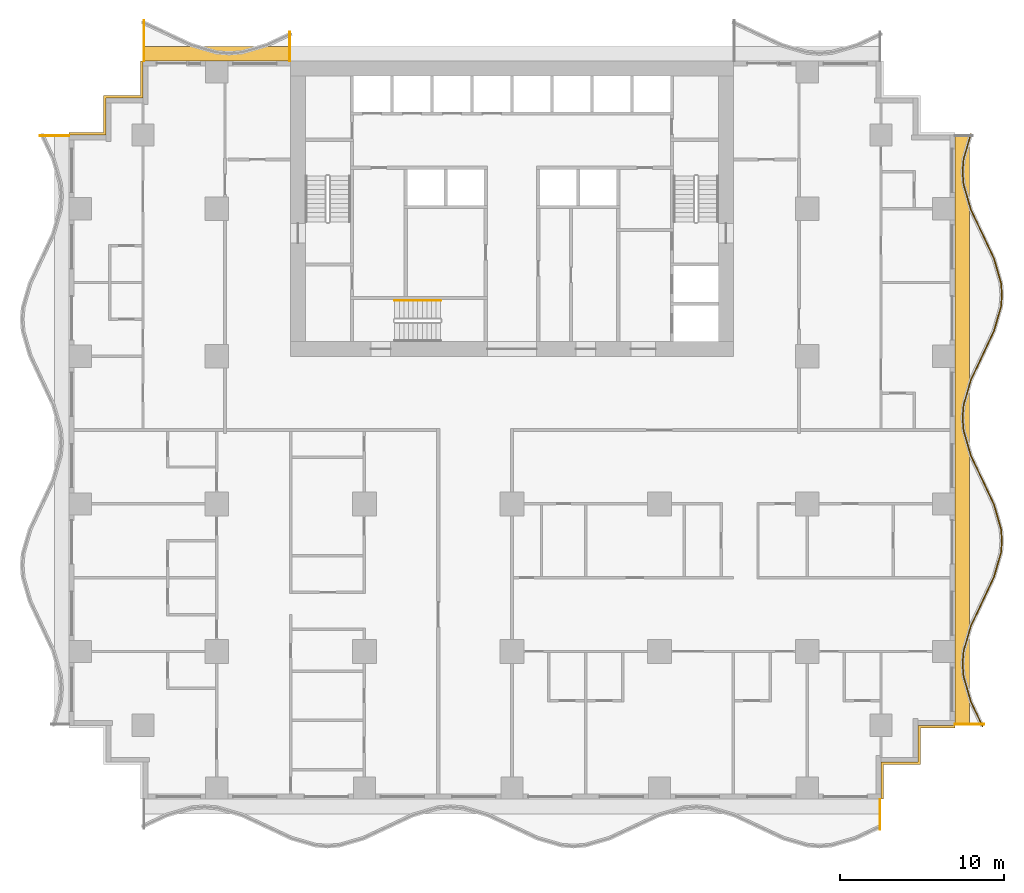
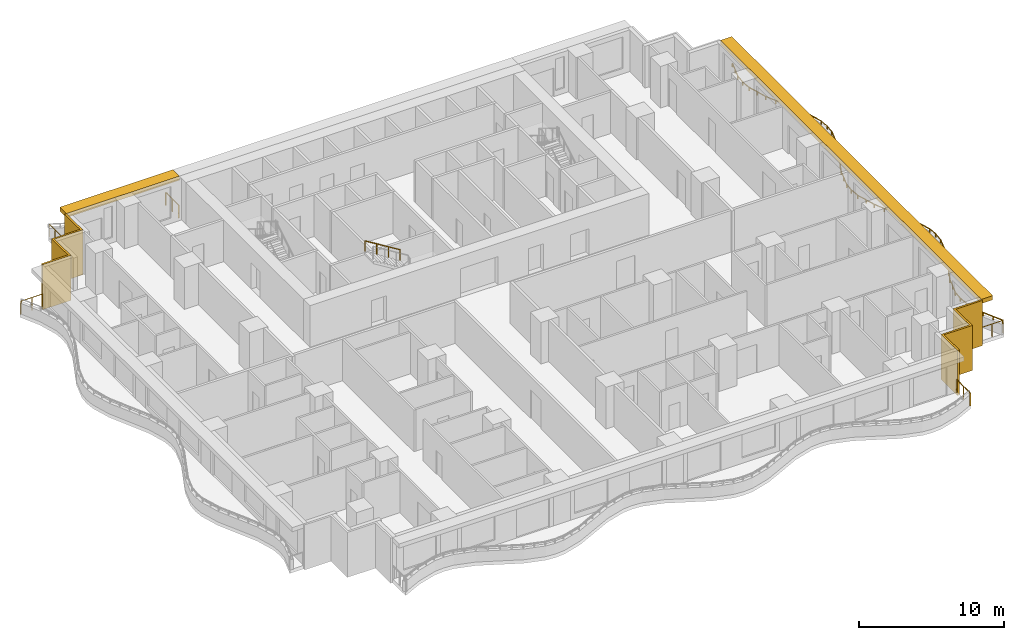
# One storey, part 11 of 14: 7 railings, 4 shading devices.
"""IFC4 building model written with IfcOpenShell, lengths in metres."""

from ifc_helpers import new_model, si_unit, direction, frame, origin, origin_2d, place, context, subcontext, project, spatial, polyline, rectangle, circle, outline, extrude, material, layer, layer_set, type_object, element, save


model = new_model("IFC4")

# Units and contexts
model_context = context("Model", 3, precision=1e-05, world=origin(), true_north=direction((0.0, 1.0)))
body_context = subcontext(model_context, "Body", "Model", "MODEL_VIEW")
ifc_project = project(units=[si_unit("LENGTHUNIT", "METRE"), si_unit("AREAUNIT", "SQUARE_METRE"), si_unit("VOLUMEUNIT", "CUBIC_METRE"), si_unit("PLANEANGLEUNIT", "RADIAN"), si_unit("MASSUNIT", "GRAM", prefix="KILO")], contexts=[model_context])

# Site, building, storey
site_placement = place(None, origin())
site = spatial("IfcSite", under=ifc_project, at=site_placement, CompositionType="ELEMENT")
building_placement = place(site_placement, origin())
building = spatial("IfcBuilding", under=site, at=building_placement, Name="Orbiselva Terraces", CompositionType="ELEMENT")
storey_placement = place(building_placement, frame((0.0, 0.0, 60.6)))
storey = spatial("IfcBuildingStorey", under=building, at=storey_placement, Name="L15", CompositionType="ELEMENT", Elevation=60.6)

# Railings
ifc_material_1 = material(Name="Stainless steel", Category="steel")
railing_type_1 = type_object("IfcRailingType", Name="CORE-HANDRAIL-900", PredefinedType="HANDRAIL", material=ifc_material_1)
railing_1_placement = place(storey_placement, frame((-4.35, 7.9, 2.072727)))
element("IfcRailing", 1, at=railing_1_placement, inside=storey, type_object=railing_type_1, Name="L15 S3 stair handrail 2", PredefinedType="HANDRAIL", context=body_context, shape_type="SweptSolid", body=[
    extrude(circle(Radius=0.024, at=origin_2d()), frame((0.0, 0.0, 0.876), z_axis=(-0.851088519012, 0.0, 0.52502222125), x_axis=(0.0, -1.0, 0.0)), (0.0, 0.0, 1.0), 3.289905),
    extrude(circle(Radius=0.021, at=origin_2d()), origin(), (0.0, 0.0, 1.0), 0.852),
    extrude(circle(Radius=0.021, at=origin_2d()), frame((-0.933333, 0.0, 0.575758)), (0.0, 0.0, 1.0), 0.852),
    extrude(circle(Radius=0.021, at=origin_2d()), frame((-1.866667, 0.0, 1.151515)), (0.0, 0.0, 1.0), 0.852),
    extrude(circle(Radius=0.021, at=origin_2d()), frame((-2.8, 0.0, 1.727273)), (0.0, 0.0, 1.0), 0.852),
])
ifc_material_2 = material(Name="Bonded two-ply safety glass balustrade, stainless steel posts", Category="steel")
railing_type_2 = type_object("IfcRailingType", Name="ENV-BALUSTRADE-1200", PredefinedType="BALUSTRADE", material=ifc_material_2)
railing_2_placement = place(storey_placement, frame((28.686882, -18.053191, 0.9)))
element("IfcRailing", 2, at=railing_2_placement, inside=storey, type_object=railing_type_2, Name="Balcony balustrade L15 E", PredefinedType="BALUSTRADE", context=body_context, shape_type="SweptSolid", body=[
    extrude(outline(polyline([(0.028868, 0.0), (0.014434, 0.025), (-0.014434, 0.025), (-0.028868, 0.0), (-0.014434, -0.025), (0.014434, -0.025), (0.028868, 0.0)])), frame((0.0, 0.0, 0.275), z_axis=(-0.425530342069, 0.904944157382, 0.0), x_axis=(-0.904944157382, -0.425530342069, 0.0)), (0.0, 0.0, 1.0), 1.667376),
    extrude(outline(polyline([(0.028868, 0.0), (0.014434, 0.025), (-0.014434, 0.025), (-0.028868, 0.0), (-0.014434, -0.025), (0.014434, -0.025), (0.028868, 0.0)])), frame((-0.709519, 1.508882, 0.275), z_axis=(-0.279070928786, 0.960270491427, 0.0), x_axis=(-0.960270491427, -0.279070928786, 0.0)), (0.0, 0.0, 1.0), 1.584712),
    extrude(outline(polyline([(0.028868, 0.0), (0.014434, 0.025), (-0.014434, 0.025), (-0.028868, 0.0), (-0.014434, -0.025), (0.014434, -0.025), (0.028868, 0.0)])), frame((-1.151766, 3.030634, 0.275), z_axis=(-0.078071061106, 0.996947796737, 0.0), x_axis=(-0.996947796737, -0.078071061106, 0.0)), (0.0, 0.0, 1.0), 0.774922),
    extrude(outline(polyline([(0.028868, 0.0), (0.014434, 0.025), (-0.014434, 0.025), (-0.028868, 0.0), (-0.014434, -0.025), (0.014434, -0.025), (0.028868, 0.0)])), frame((-1.212265, 3.803191, 0.275), z_axis=(0.078071061106, 0.996947796737, 0.0), x_axis=(-0.996947796737, 0.078071061106, 0.0)), (0.0, 0.0, 1.0), 0.774922),
    extrude(outline(polyline([(0.028868, 0.0), (0.014434, 0.025), (-0.014434, 0.025), (-0.028868, 0.0), (-0.014434, -0.025), (0.014434, -0.025), (0.028868, 0.0)])), frame((-1.151766, 4.575748, 0.275), z_axis=(0.279070928786, 0.960270491427, 0.0), x_axis=(-0.960270491427, 0.279070928786, 0.0)), (0.0, 0.0, 1.0), 1.584712),
    extrude(outline(polyline([(0.028868, 0.0), (0.014434, 0.025), (-0.014434, 0.025), (-0.028868, 0.0), (-0.014434, -0.025), (0.014434, -0.025), (0.028868, 0.0)])), frame((-0.709519, 6.0975, 0.275), z_axis=(0.425530342069, 0.904944157382, 0.0), x_axis=(-0.904944157382, 0.425530342069, 0.0)), (0.0, 0.0, 1.0), 1.667376),
    extrude(outline(polyline([(0.028868, 0.0), (0.014434, 0.025), (-0.014434, 0.025), (-0.028868, 0.0), (-0.014434, -0.025), (0.014434, -0.025), (0.028868, 0.0)])), frame((0.0, 7.606382, 0.275), z_axis=(0.425529912322, 0.904944359461, 0.0), x_axis=(-0.904944359461, 0.425529912322, 0.0)), (0.0, 0.0, 1.0), 1.647746),
    extrude(outline(polyline([(0.028868, 0.0), (0.014434, 0.025), (-0.014434, 0.025), (-0.028868, 0.0), (-0.014434, -0.025), (0.014434, -0.025), (0.028868, 0.0)])), frame((0.701165, 9.0975, 0.275), z_axis=(0.279071528957, 0.960270317007, 0.0), x_axis=(-0.960270317007, 0.279071528957, 0.0)), (0.0, 0.0, 1.0), 1.539408),
    extrude(outline(polyline([(0.028868, 0.0), (0.014434, 0.025), (-0.014434, 0.025), (-0.028868, 0.0), (-0.014434, -0.025), (0.014434, -0.025), (0.028868, 0.0)])), frame((1.13077, 10.575748, 0.275), z_axis=(0.078069536776, 0.996947916106, 0.0), x_axis=(-0.996947916106, 0.078069536776, 0.0)), (0.0, 0.0, 1.0), 0.72967),
    extrude(outline(polyline([(0.028868, 0.0), (0.014434, 0.025), (-0.014434, 0.025), (-0.028868, 0.0), (-0.014434, -0.025), (0.014434, -0.025), (0.028868, 0.0)])), frame((1.187735, 11.303191, 0.275), z_axis=(-0.078069536776, 0.996947916106, 0.0), x_axis=(-0.996947916106, -0.078069536776, 0.0)), (0.0, 0.0, 1.0), 0.72967),
    extrude(outline(polyline([(0.028868, 0.0), (0.014434, 0.025), (-0.014434, 0.025), (-0.028868, 0.0), (-0.014434, -0.025), (0.014434, -0.025), (0.028868, 0.0)])), frame((1.13077, 12.030634, 0.275), z_axis=(-0.279071528957, 0.960270317007, 0.0), x_axis=(-0.960270317007, -0.279071528957, 0.0)), (0.0, 0.0, 1.0), 1.539408),
    extrude(outline(polyline([(0.028868, 0.0), (0.014434, 0.025), (-0.014434, 0.025), (-0.028868, 0.0), (-0.014434, -0.025), (0.014434, -0.025), (0.028868, 0.0)])), frame((0.701165, 13.508882, 0.275), z_axis=(-0.425529912322, 0.904944359461, 0.0), x_axis=(-0.904944359461, -0.425529912322, 0.0)), (0.0, 0.0, 1.0), 1.647746),
    extrude(outline(polyline([(0.028868, 0.0), (0.014434, 0.025), (-0.014434, 0.025), (-0.028868, 0.0), (-0.014434, -0.025), (0.014434, -0.025), (0.028868, 0.0)])), frame((0.0, 15.0, 0.275), z_axis=(-0.425530342069, 0.904944157382, 0.0), x_axis=(-0.904944157382, -0.425530342069, 0.0)), (0.0, 0.0, 1.0), 1.667376),
    extrude(outline(polyline([(0.028868, 0.0), (0.014434, 0.025), (-0.014434, 0.025), (-0.028868, 0.0), (-0.014434, -0.025), (0.014434, -0.025), (0.028868, 0.0)])), frame((-0.709519, 16.508882, 0.275), z_axis=(-0.279070928786, 0.960270491427, 0.0), x_axis=(-0.960270491427, -0.279070928786, 0.0)), (0.0, 0.0, 1.0), 1.584712),
    extrude(outline(polyline([(0.028868, 0.0), (0.014434, 0.025), (-0.014434, 0.025), (-0.028868, 0.0), (-0.014434, -0.025), (0.014434, -0.025), (0.028868, 0.0)])), frame((-1.151766, 18.030634, 0.275), z_axis=(-0.078071061106, 0.996947796737, 0.0), x_axis=(-0.996947796737, -0.078071061106, 0.0)), (0.0, 0.0, 1.0), 0.774922),
    extrude(outline(polyline([(0.028868, 0.0), (0.014434, 0.025), (-0.014434, 0.025), (-0.028868, 0.0), (-0.014434, -0.025), (0.014434, -0.025), (0.028868, 0.0)])), frame((-1.212265, 18.803191, 0.275), z_axis=(0.078071061106, 0.996947796737, 0.0), x_axis=(-0.996947796737, 0.078071061106, 0.0)), (0.0, 0.0, 1.0), 0.774922),
    extrude(outline(polyline([(0.028868, 0.0), (0.014434, 0.025), (-0.014434, 0.025), (-0.028868, 0.0), (-0.014434, -0.025), (0.014434, -0.025), (0.028868, 0.0)])), frame((-1.151766, 19.575748, 0.275), z_axis=(0.279070928786, 0.960270491427, 0.0), x_axis=(-0.960270491427, 0.279070928786, 0.0)), (0.0, 0.0, 1.0), 1.584712),
    extrude(outline(polyline([(0.028868, 0.0), (0.014434, 0.025), (-0.014434, 0.025), (-0.028868, 0.0), (-0.014434, -0.025), (0.014434, -0.025), (0.028868, 0.0)])), frame((-0.709519, 21.0975, 0.275), z_axis=(0.425530342069, 0.904944157382, 0.0), x_axis=(-0.904944157382, 0.425530342069, 0.0)), (0.0, 0.0, 1.0), 1.667376),
    extrude(outline(polyline([(0.028868, 0.0), (0.014434, 0.025), (-0.014434, 0.025), (-0.028868, 0.0), (-0.014434, -0.025), (0.014434, -0.025), (0.028868, 0.0)])), frame((0.0, 22.606382, 0.275), z_axis=(0.425529912322, 0.904944359461, 0.0), x_axis=(-0.904944359461, 0.425529912322, 0.0)), (0.0, 0.0, 1.0), 1.647746),
    extrude(outline(polyline([(0.028868, 0.0), (0.014434, 0.025), (-0.014434, 0.025), (-0.028868, 0.0), (-0.014434, -0.025), (0.014434, -0.025), (0.028868, 0.0)])), frame((0.701165, 24.0975, 0.275), z_axis=(0.279071528957, 0.960270317007, 0.0), x_axis=(-0.960270317007, 0.279071528957, 0.0)), (0.0, 0.0, 1.0), 1.539408),
    extrude(outline(polyline([(0.028868, 0.0), (0.014434, 0.025), (-0.014434, 0.025), (-0.028868, 0.0), (-0.014434, -0.025), (0.014434, -0.025), (0.028868, 0.0)])), frame((1.13077, 25.575748, 0.275), z_axis=(0.078069536776, 0.996947916106, 0.0), x_axis=(-0.996947916106, 0.078069536776, 0.0)), (0.0, 0.0, 1.0), 0.72967),
    extrude(outline(polyline([(0.028868, 0.0), (0.014434, 0.025), (-0.014434, 0.025), (-0.028868, 0.0), (-0.014434, -0.025), (0.014434, -0.025), (0.028868, 0.0)])), frame((1.187735, 26.303191, 0.275), z_axis=(-0.078069536776, 0.996947916106, 0.0), x_axis=(-0.996947916106, -0.078069536776, 0.0)), (0.0, 0.0, 1.0), 0.72967),
    extrude(outline(polyline([(0.028868, 0.0), (0.014434, 0.025), (-0.014434, 0.025), (-0.028868, 0.0), (-0.014434, -0.025), (0.014434, -0.025), (0.028868, 0.0)])), frame((1.13077, 27.030634, 0.275), z_axis=(-0.279071528957, 0.960270317007, 0.0), x_axis=(-0.960270317007, -0.279071528957, 0.0)), (0.0, 0.0, 1.0), 1.539408),
    extrude(outline(polyline([(0.028868, 0.0), (0.014434, 0.025), (-0.014434, 0.025), (-0.028868, 0.0), (-0.014434, -0.025), (0.014434, -0.025), (0.028868, 0.0)])), frame((0.701165, 28.508882, 0.275), z_axis=(-0.425529912322, 0.904944359461, 0.0), x_axis=(-0.904944359461, -0.425529912322, 0.0)), (0.0, 0.0, 1.0), 1.647746),
    extrude(outline(polyline([(0.028868, 0.0), (0.014434, 0.025), (-0.014434, 0.025), (-0.028868, 0.0), (-0.014434, -0.025), (0.014434, -0.025), (0.028868, 0.0)])), frame((0.0, 30.0, 0.275), z_axis=(-0.425530342069, 0.904944157382, 0.0), x_axis=(-0.904944157382, -0.425530342069, 0.0)), (0.0, 0.0, 1.0), 1.667376),
    extrude(outline(polyline([(0.028868, 0.0), (0.014434, 0.025), (-0.014434, 0.025), (-0.028868, 0.0), (-0.014434, -0.025), (0.014434, -0.025), (0.028868, 0.0)])), frame((-0.709519, 31.508882, 0.275), z_axis=(-0.279070928786, 0.960270491427, 0.0), x_axis=(-0.960270491427, -0.279070928786, 0.0)), (0.0, 0.0, 1.0), 1.584712),
    extrude(outline(polyline([(0.028868, 0.0), (0.014434, 0.025), (-0.014434, 0.025), (-0.028868, 0.0), (-0.014434, -0.025), (0.014434, -0.025), (0.028868, 0.0)])), frame((-1.151766, 33.030634, 0.275), z_axis=(-0.078071061106, 0.996947796737, 0.0), x_axis=(-0.996947796737, -0.078071061106, 0.0)), (0.0, 0.0, 1.0), 0.774922),
    extrude(outline(polyline([(0.028868, 0.0), (0.014434, 0.025), (-0.014434, 0.025), (-0.028868, 0.0), (-0.014434, -0.025), (0.014434, -0.025), (0.028868, 0.0)])), frame((-1.212265, 33.803191, 0.275), z_axis=(0.078071061106, 0.996947796737, 0.0), x_axis=(-0.996947796737, 0.078071061106, 0.0)), (0.0, 0.0, 1.0), 0.774922),
    extrude(outline(polyline([(0.028868, 0.0), (0.014434, 0.025), (-0.014434, 0.025), (-0.028868, 0.0), (-0.014434, -0.025), (0.014434, -0.025), (0.028868, 0.0)])), frame((-1.151766, 34.575748, 0.275), z_axis=(0.279070966973, 0.96027048033, 0.0), x_axis=(-0.96027048033, 0.279070966973, 0.0)), (0.0, 0.0, 1.0), 1.574897),
    extrude(rectangle(XDim=0.05, YDim=0.05, at=origin_2d()), origin(), (0.0, 0.0, 1.0), 0.25),
    extrude(rectangle(XDim=0.05, YDim=0.05, at=origin_2d()), frame((-0.35476, 0.754441, 0.0)), (0.0, 0.0, 1.0), 0.25),
    extrude(rectangle(XDim=0.05, YDim=0.05, at=origin_2d()), frame((-0.709519, 1.508882, 0.0)), (0.0, 0.0, 1.0), 0.25),
    extrude(rectangle(XDim=0.05, YDim=0.05, at=origin_2d()), frame((-0.930643, 2.269758, 0.0)), (0.0, 0.0, 1.0), 0.25),
    extrude(rectangle(XDim=0.05, YDim=0.05, at=origin_2d()), frame((-1.151766, 3.030634, 0.0)), (0.0, 0.0, 1.0), 0.25),
    extrude(rectangle(XDim=0.05, YDim=0.05, at=origin_2d()), frame((-1.212265, 3.803191, 0.0)), (0.0, 0.0, 1.0), 0.25),
    extrude(rectangle(XDim=0.05, YDim=0.05, at=origin_2d()), frame((-1.151766, 4.575748, 0.0)), (0.0, 0.0, 1.0), 0.25),
    extrude(rectangle(XDim=0.05, YDim=0.05, at=origin_2d()), frame((-0.930643, 5.336624, 0.0)), (0.0, 0.0, 1.0), 0.25),
    extrude(rectangle(XDim=0.05, YDim=0.05, at=origin_2d()), frame((-0.709519, 6.0975, 0.0)), (0.0, 0.0, 1.0), 0.25),
    extrude(rectangle(XDim=0.05, YDim=0.05, at=origin_2d()), frame((-0.35476, 6.851941, 0.0)), (0.0, 0.0, 1.0), 0.25),
    extrude(rectangle(XDim=0.05, YDim=0.05, at=origin_2d()), frame((0.0, 7.606382, 0.0)), (0.0, 0.0, 1.0), 0.25),
    extrude(rectangle(XDim=0.05, YDim=0.05, at=origin_2d()), frame((0.350582, 8.351941, 0.0)), (0.0, 0.0, 1.0), 0.25),
    extrude(rectangle(XDim=0.05, YDim=0.05, at=origin_2d()), frame((0.701165, 9.0975, 0.0)), (0.0, 0.0, 1.0), 0.25),
    extrude(rectangle(XDim=0.05, YDim=0.05, at=origin_2d()), frame((0.915967, 9.836624, 0.0)), (0.0, 0.0, 1.0), 0.25),
    extrude(rectangle(XDim=0.05, YDim=0.05, at=origin_2d()), frame((1.13077, 10.575748, 0.0)), (0.0, 0.0, 1.0), 0.25),
    extrude(rectangle(XDim=0.05, YDim=0.05, at=origin_2d()), frame((1.187735, 11.303191, 0.0)), (0.0, 0.0, 1.0), 0.25),
    extrude(rectangle(XDim=0.05, YDim=0.05, at=origin_2d()), frame((1.13077, 12.030634, 0.0)), (0.0, 0.0, 1.0), 0.25),
    extrude(rectangle(XDim=0.05, YDim=0.05, at=origin_2d()), frame((0.915967, 12.769758, 0.0)), (0.0, 0.0, 1.0), 0.25),
    extrude(rectangle(XDim=0.05, YDim=0.05, at=origin_2d()), frame((0.701165, 13.508882, 0.0)), (0.0, 0.0, 1.0), 0.25),
    extrude(rectangle(XDim=0.05, YDim=0.05, at=origin_2d()), frame((0.350582, 14.254441, 0.0)), (0.0, 0.0, 1.0), 0.25),
    extrude(rectangle(XDim=0.05, YDim=0.05, at=origin_2d()), frame((0.0, 15.0, 0.0)), (0.0, 0.0, 1.0), 0.25),
    extrude(rectangle(XDim=0.05, YDim=0.05, at=origin_2d()), frame((-0.35476, 15.754441, 0.0)), (0.0, 0.0, 1.0), 0.25),
    extrude(rectangle(XDim=0.05, YDim=0.05, at=origin_2d()), frame((-0.709519, 16.508882, 0.0)), (0.0, 0.0, 1.0), 0.25),
    extrude(rectangle(XDim=0.05, YDim=0.05, at=origin_2d()), frame((-0.930643, 17.269758, 0.0)), (0.0, 0.0, 1.0), 0.25),
    extrude(rectangle(XDim=0.05, YDim=0.05, at=origin_2d()), frame((-1.151766, 18.030634, 0.0)), (0.0, 0.0, 1.0), 0.25),
    extrude(rectangle(XDim=0.05, YDim=0.05, at=origin_2d()), frame((-1.212265, 18.803191, 0.0)), (0.0, 0.0, 1.0), 0.25),
    extrude(rectangle(XDim=0.05, YDim=0.05, at=origin_2d()), frame((-1.151766, 19.575748, 0.0)), (0.0, 0.0, 1.0), 0.25),
    extrude(rectangle(XDim=0.05, YDim=0.05, at=origin_2d()), frame((-0.930643, 20.336624, 0.0)), (0.0, 0.0, 1.0), 0.25),
    extrude(rectangle(XDim=0.05, YDim=0.05, at=origin_2d()), frame((-0.709519, 21.0975, 0.0)), (0.0, 0.0, 1.0), 0.25),
    extrude(rectangle(XDim=0.05, YDim=0.05, at=origin_2d()), frame((-0.35476, 21.851941, 0.0)), (0.0, 0.0, 1.0), 0.25),
    extrude(rectangle(XDim=0.05, YDim=0.05, at=origin_2d()), frame((0.0, 22.606382, 0.0)), (0.0, 0.0, 1.0), 0.25),
    extrude(rectangle(XDim=0.05, YDim=0.05, at=origin_2d()), frame((0.350582, 23.351941, 0.0)), (0.0, 0.0, 1.0), 0.25),
    extrude(rectangle(XDim=0.05, YDim=0.05, at=origin_2d()), frame((0.701165, 24.0975, 0.0)), (0.0, 0.0, 1.0), 0.25),
    extrude(rectangle(XDim=0.05, YDim=0.05, at=origin_2d()), frame((0.915967, 24.836624, 0.0)), (0.0, 0.0, 1.0), 0.25),
    extrude(rectangle(XDim=0.05, YDim=0.05, at=origin_2d()), frame((1.13077, 25.575748, 0.0)), (0.0, 0.0, 1.0), 0.25),
    extrude(rectangle(XDim=0.05, YDim=0.05, at=origin_2d()), frame((1.187735, 26.303191, 0.0)), (0.0, 0.0, 1.0), 0.25),
    extrude(rectangle(XDim=0.05, YDim=0.05, at=origin_2d()), frame((1.13077, 27.030634, 0.0)), (0.0, 0.0, 1.0), 0.25),
    extrude(rectangle(XDim=0.05, YDim=0.05, at=origin_2d()), frame((0.915967, 27.769758, 0.0)), (0.0, 0.0, 1.0), 0.25),
    extrude(rectangle(XDim=0.05, YDim=0.05, at=origin_2d()), frame((0.701165, 28.508882, 0.0)), (0.0, 0.0, 1.0), 0.25),
    extrude(rectangle(XDim=0.05, YDim=0.05, at=origin_2d()), frame((0.350582, 29.254441, 0.0)), (0.0, 0.0, 1.0), 0.25),
    extrude(rectangle(XDim=0.05, YDim=0.05, at=origin_2d()), frame((0.0, 30.0, 0.0)), (0.0, 0.0, 1.0), 0.25),
    extrude(rectangle(XDim=0.05, YDim=0.05, at=origin_2d()), frame((-0.35476, 30.754441, 0.0)), (0.0, 0.0, 1.0), 0.25),
    extrude(rectangle(XDim=0.05, YDim=0.05, at=origin_2d()), frame((-0.709519, 31.508882, 0.0)), (0.0, 0.0, 1.0), 0.25),
    extrude(rectangle(XDim=0.05, YDim=0.05, at=origin_2d()), frame((-0.930643, 32.269758, 0.0)), (0.0, 0.0, 1.0), 0.25),
    extrude(rectangle(XDim=0.05, YDim=0.05, at=origin_2d()), frame((-1.151766, 33.030634, 0.0)), (0.0, 0.0, 1.0), 0.25),
    extrude(rectangle(XDim=0.05, YDim=0.05, at=origin_2d()), frame((-1.212265, 33.803191, 0.0)), (0.0, 0.0, 1.0), 0.25),
    extrude(rectangle(XDim=0.05, YDim=0.05, at=origin_2d()), frame((-1.151766, 34.575748, 0.0)), (0.0, 0.0, 1.0), 0.25),
    extrude(rectangle(XDim=0.05, YDim=0.05, at=origin_2d()), frame((-0.932012, 35.331912, 0.0)), (0.0, 0.0, 1.0), 0.25),
    extrude(rectangle(XDim=0.05, YDim=0.05, at=origin_2d()), frame((-0.712258, 36.088075, 0.0)), (0.0, 0.0, 1.0), 0.25),
])
ifc_material_3 = material(Name="Stainless steel rail and posts", Category="steel")
railing_type_3 = type_object("IfcRailingType", Name="ENV-GUARD-1105", PredefinedType="BALUSTRADE", material=ifc_material_3)
railing_3_placement = place(storey_placement, frame((22.44, -24.330156, 0.0)))
element("IfcRailing", 3, at=railing_3_placement, inside=storey, type_object=railing_type_3, Name="Balcony end guard L15 S", PredefinedType="BALUSTRADE", context=body_context, shape_type="SweptSolid", body=[
    extrude(outline(polyline([(0.028868, 0.0), (0.014434, 0.025), (-0.014434, 0.025), (-0.028868, 0.0), (-0.014434, -0.025), (0.014434, -0.025), (0.028868, 0.0)])), frame((0.0, 0.0, 1.08), z_axis=(0.0, 1.0, 0.0), x_axis=(-1.0, 0.0, 0.0)), (0.0, 0.0, 1.0), 1.805156),
    extrude(rectangle(XDim=0.05, YDim=0.05, at=origin_2d()), origin(), (0.0, 0.0, 1.0), 1.055),
    extrude(rectangle(XDim=0.05, YDim=0.05, at=origin_2d()), frame((0.0, 0.902578, 0.0)), (0.0, 0.0, 1.0), 1.055),
    extrude(rectangle(XDim=0.05, YDim=0.05, at=origin_2d()), frame((0.0, 1.805156, 0.0)), (0.0, 0.0, 1.0), 1.055),
])
railing_4_placement = place(storey_placement, frame((28.769844, -17.94, 0.0)))
element("IfcRailing", 4, at=railing_4_placement, inside=storey, type_object=railing_type_3, Name="Balcony end guard L15 E", PredefinedType="BALUSTRADE", context=body_context, shape_type="SweptSolid", body=[
    extrude(outline(polyline([(0.028868, 0.0), (0.014434, 0.025), (-0.014434, 0.025), (-0.028868, 0.0), (-0.014434, -0.025), (0.014434, -0.025), (0.028868, 0.0)])), frame((0.0, 0.0, 1.08), z_axis=(-1.0, 0.0, 0.0), x_axis=(0.0, -1.0, 0.0)), (0.0, 0.0, 1.0), 1.744844),
    extrude(rectangle(XDim=0.05, YDim=0.05, at=origin_2d()), origin(), (0.0, 0.0, 1.0), 1.055),
    extrude(rectangle(XDim=0.05, YDim=0.05, at=origin_2d()), frame((-0.872422, 0.0, 0.0)), (0.0, 0.0, 1.0), 1.055),
    extrude(rectangle(XDim=0.05, YDim=0.05, at=origin_2d()), frame((-1.744844, 0.0, 0.0)), (0.0, 0.0, 1.0), 1.055),
])
railing_5_placement = place(storey_placement, frame((-13.56, 24.269844, 0.0)))
element("IfcRailing", 5, at=railing_5_placement, inside=storey, type_object=railing_type_3, Name="Balcony end guard L15 NW", PredefinedType="BALUSTRADE", context=body_context, shape_type="SweptSolid", body=[
    extrude(outline(polyline([(0.028868, 0.0), (0.014434, 0.025), (-0.014434, 0.025), (-0.028868, 0.0), (-0.014434, -0.025), (0.014434, -0.025), (0.028868, 0.0)])), frame((0.0, 0.0, 1.08), z_axis=(0.0, -1.0, 0.0), x_axis=(1.0, 0.0, 0.0)), (0.0, 0.0, 1.0), 1.744844),
    extrude(rectangle(XDim=0.05, YDim=0.05, at=origin_2d()), origin(), (0.0, 0.0, 1.0), 1.055),
    extrude(rectangle(XDim=0.05, YDim=0.05, at=origin_2d()), frame((0.0, -0.872422, 0.0)), (0.0, 0.0, 1.0), 1.055),
    extrude(rectangle(XDim=0.05, YDim=0.05, at=origin_2d()), frame((0.0, -1.744844, 0.0)), (0.0, 0.0, 1.0), 1.055),
])
railing_6_placement = place(storey_placement, frame((-22.44, 24.980723, 0.0)))
element("IfcRailing", 6, at=railing_6_placement, inside=storey, type_object=railing_type_3, Name="Balcony end guard L15 NW", PredefinedType="BALUSTRADE", context=body_context, shape_type="SweptSolid", body=[
    extrude(outline(polyline([(0.028868, 0.0), (0.014434, 0.025), (-0.014434, 0.025), (-0.028868, 0.0), (-0.014434, -0.025), (0.014434, -0.025), (0.028868, 0.0)])), frame((0.0, 0.0, 1.08), z_axis=(0.0, -1.0, 0.0), x_axis=(1.0, 0.0, 0.0)), (0.0, 0.0, 1.0), 2.455723),
    extrude(rectangle(XDim=0.05, YDim=0.05, at=origin_2d()), origin(), (0.0, 0.0, 1.0), 1.055),
    extrude(rectangle(XDim=0.05, YDim=0.05, at=origin_2d()), frame((0.0, -0.818574, 0.0)), (0.0, 0.0, 1.0), 1.055),
    extrude(rectangle(XDim=0.05, YDim=0.05, at=origin_2d()), frame((0.0, -1.637149, 0.0)), (0.0, 0.0, 1.0), 1.055),
    extrude(rectangle(XDim=0.05, YDim=0.05, at=origin_2d()), frame((0.0, -2.455723, 0.0)), (0.0, 0.0, 1.0), 1.055),
])
railing_7_placement = place(storey_placement, frame((-28.769844, 17.94, 0.0)))
element("IfcRailing", 7, at=railing_7_placement, inside=storey, type_object=railing_type_3, Name="Balcony end guard L15 W", PredefinedType="BALUSTRADE", context=body_context, shape_type="SweptSolid", body=[
    extrude(outline(polyline([(0.028868, 0.0), (0.014434, 0.025), (-0.014434, 0.025), (-0.028868, 0.0), (-0.014434, -0.025), (0.014434, -0.025), (0.028868, 0.0)])), frame((0.0, 0.0, 1.08), z_axis=(1.0, 0.0, 0.0), x_axis=(0.0, 1.0, 0.0)), (0.0, 0.0, 1.0), 1.744844),
    extrude(rectangle(XDim=0.05, YDim=0.05, at=origin_2d()), origin(), (0.0, 0.0, 1.0), 1.055),
    extrude(rectangle(XDim=0.05, YDim=0.05, at=origin_2d()), frame((0.872422, 0.0, 0.0)), (0.0, 0.0, 1.0), 1.055),
    extrude(rectangle(XDim=0.05, YDim=0.05, at=origin_2d()), frame((1.744844, 0.0, 0.0)), (0.0, 0.0, 1.0), 1.055),
])

# Shading devices
ifc_material_4 = material(Name="Terracotta louvre screen", Category="masonry")
ifc_layer_1 = layer(ifc_material_4, 0.15)
ifc_layer_set_1 = layer_set([ifc_layer_1], Name="Terracotta louvre screen")
shading_device_type_1 = type_object("IfcShadingDeviceType", Name="ENV-SCREEN-150", PredefinedType="USERDEFINED", material=ifc_layer_set_1)
shading_device_1_placement = place(storey_placement, frame((0.0, 0.0, -0.3)))
element("IfcShadingDevice", 8, at=shading_device_1_placement, inside=storey, type_object=shading_device_type_1, Name="Louvre screen L15 NW", ObjectType="SCREEN", PredefinedType="USERDEFINED", context=body_context, shape_type="SweptSolid", body=[
    extrude(outline(polyline([(-22.65, 22.5), (-22.65, 20.4), (-24.9, 20.4), (-24.9, 18.15), (-27.0, 18.15), (-27.0, 18.0), (-24.75, 18.0), (-24.75, 20.25), (-22.5, 20.25), (-22.5, 22.5), (-22.65, 22.5)])), origin(), (0.0, 0.0, 1.0), 3.8),
])
shading_device_2_placement = place(storey_placement, frame((0.0, 0.0, -0.3)))
element("IfcShadingDevice", 9, at=shading_device_2_placement, inside=storey, type_object=shading_device_type_1, Name="Louvre screen L15 SE", ObjectType="SCREEN", PredefinedType="USERDEFINED", context=body_context, shape_type="SweptSolid", body=[
    extrude(outline(polyline([(22.65, -22.5), (22.65, -20.4), (24.9, -20.4), (24.9, -18.15), (27.0, -18.15), (27.0, -18.0), (24.75, -18.0), (24.75, -20.25), (22.5, -20.25), (22.5, -22.5), (22.65, -22.5)])), origin(), (0.0, 0.0, 1.0), 3.8),
])
ifc_material_5 = material(Name="Terracotta baguette sunshade", Category="masonry")
ifc_layer_2 = layer(ifc_material_5, 0.35)
ifc_layer_set_2 = layer_set([ifc_layer_2], Name="Terracotta baguette sunshade")
shading_device_type_2 = type_object("IfcShadingDeviceType", Name="ENV-SUNSHADE-900x350", PredefinedType="USERDEFINED", material=ifc_layer_set_2)
shading_device_3_placement = place(storey_placement, frame((0.0, 0.0, 3.15)))
element("IfcShadingDevice", 10, at=shading_device_3_placement, inside=storey, type_object=shading_device_type_2, Name="Sunshade band L15 E", ObjectType="SUNSHADE", PredefinedType="USERDEFINED", context=body_context, shape_type="SweptSolid", body=[
    extrude(outline(polyline([(27.9, -18.0), (27.9, 18.0), (27.0, 18.0), (27.0, -18.0), (27.9, -18.0)])), origin(), (0.0, 0.0, 1.0), 0.35),
])
shading_device_4_placement = place(storey_placement, frame((0.0, 0.0, 3.15)))
element("IfcShadingDevice", 11, at=shading_device_4_placement, inside=storey, type_object=shading_device_type_2, Name="Sunshade band L15 NW", ObjectType="SUNSHADE", PredefinedType="USERDEFINED", context=body_context, shape_type="SweptSolid", body=[
    extrude(outline(polyline([(-13.5, 23.4), (-22.5, 23.4), (-22.5, 22.5), (-13.5, 22.5), (-13.5, 23.4)])), origin(), (0.0, 0.0, 1.0), 0.35),
])

save(model, "model.ifc")
